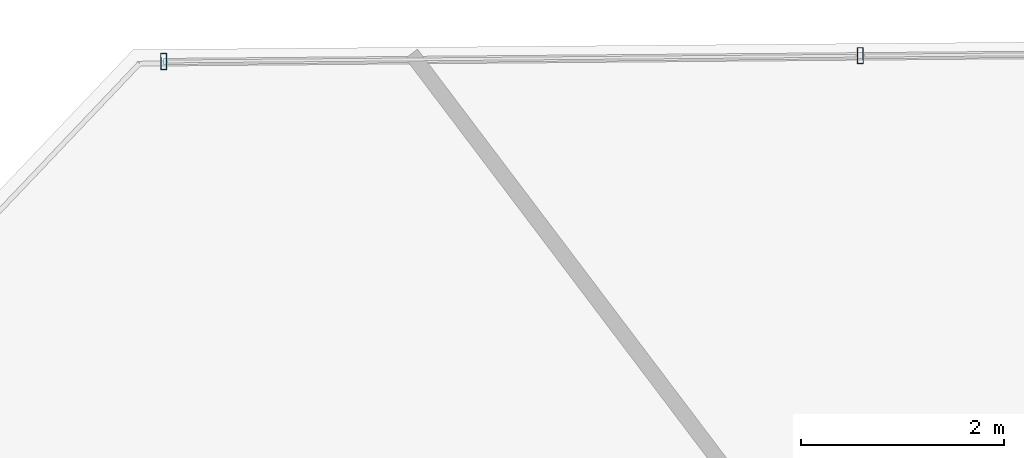
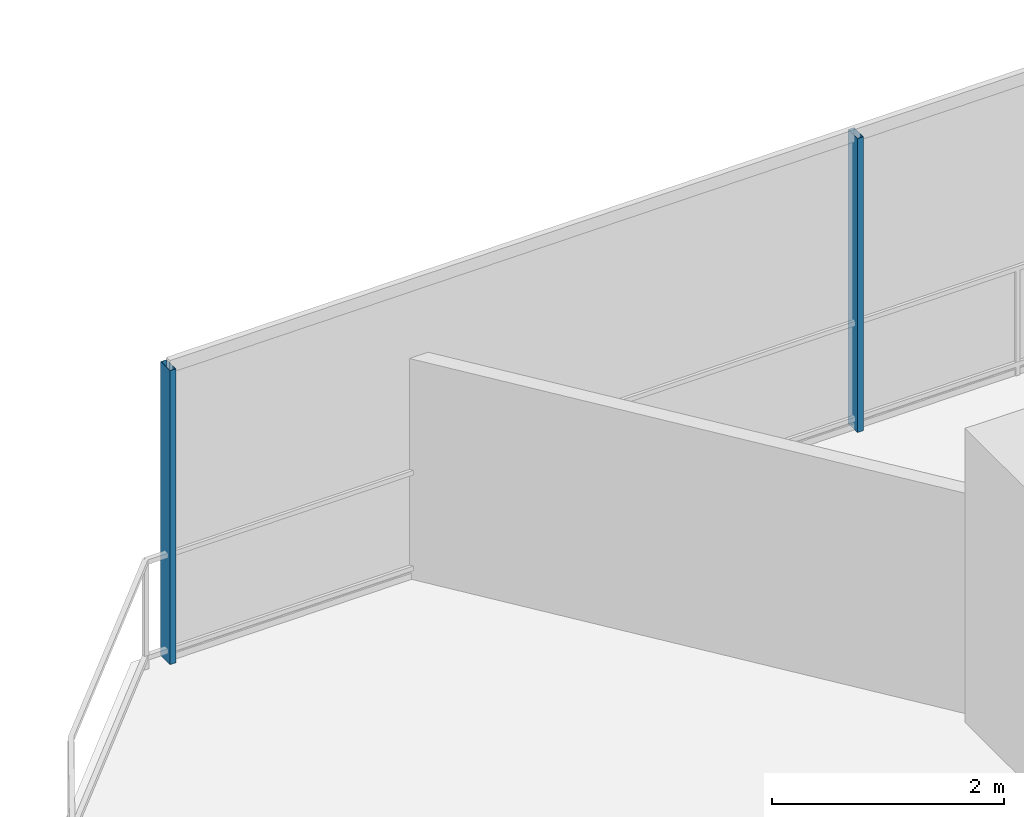
# One storey, part 17 of 31: 2 members, 1 element without a shape of its own.
"""IFC4 building model written with IfcOpenShell, lengths in metres."""

from ifc_helpers import new_model, si_unit, direction, frame, origin, origin_2d, place, context, subcontext, project, spatial, hollow_rectangle, extrude, material, layer, layer_set, material_profile, profile_set, type_object, element, aggregate, save


model = new_model("IFC4")

# Units and contexts
model_context = context("Model", 3, precision=1e-05, world=origin(), true_north=direction((0.0, 1.0)))
body_context = subcontext(model_context, "Body", "Model", "MODEL_VIEW")
ifc_project = project(units=[si_unit("LENGTHUNIT", "METRE"), si_unit("AREAUNIT", "SQUARE_METRE"), si_unit("VOLUMEUNIT", "CUBIC_METRE"), si_unit("PLANEANGLEUNIT", "RADIAN"), si_unit("MASSUNIT", "GRAM", prefix="KILO")], contexts=[model_context])

# Site, building, storey
site_placement = place(None, origin())
site = spatial("IfcSite", under=ifc_project, at=site_placement, CompositionType="ELEMENT")
building_placement = place(site_placement, origin())
building = spatial("IfcBuilding", under=site, at=building_placement, Name="Qarnah Convention Tower", CompositionType="ELEMENT")
storey_placement = place(building_placement, frame((0.0, 0.0, 68.39990234375)))
storey = spatial("IfcBuildingStorey", under=building, at=storey_placement, Name="L17", CompositionType="ELEMENT", Elevation=68.39990234375)

# Curtain wall, members
ifc_material_1 = material(Name="Tempered Low-E dark glass", Category="glass")
ifc_layer = layer(ifc_material_1, 0.16796875)
ifc_layer_set = layer_set([ifc_layer], Name="Tempered Low-E dark glass")
curtain_wall_type = type_object("IfcCurtainWallType", Name="CWS-01", PredefinedType="NOTDEFINED", material=ifc_layer_set)
curtain_wall_placement = place(storey_placement, origin())
curtain_wall = element("IfcCurtainWall", 1, at=curtain_wall_placement, inside=storey, type_object=curtain_wall_type, Name="L17 unitised curtain wall CW-L17-F2", PredefinedType="NOTDEFINED")
ifc_material_2 = material(Name="Black anodised aluminium", Category="aluminium")
ifc_material_profile = material_profile(ifc_material_2, hollow_rectangle(XDim=0.06005859375, YDim=0.159912109375, WallThickness=0.00390625, at=origin_2d()), Name="MUL-60X160")
ifc_profile_set = profile_set([ifc_material_profile], Name="Black anodised aluminium")
member_type = type_object("IfcMemberType", Name="MUL-T1", PredefinedType="MULLION", material=ifc_profile_set)
member_1_placement = place(storey_placement, frame((20.89501953125, 44.343017578125, 0.0), z_axis=(0.0, 0.0, 1.0), x_axis=(0.999965303838, 0.008330133284, 0.0)))
member_1 = element("IfcMember", 2, at=member_1_placement, type_object=member_type, Name="CW-L17-F2 mullion 1", PredefinedType="MULLION", context=body_context, shape_type="SweptSolid", body=[
    extrude(hollow_rectangle(XDim=0.06005859375, YDim=0.159912109375, WallThickness=0.00390625, at=origin_2d()), origin(), (0.0, 0.0, 1.0), 3.090087890625),
])
member_2_placement = place(storey_placement, frame((27.761474609375, 44.400146484375, 0.0), z_axis=(0.0, 0.0, 1.0), x_axis=(0.999965303838, 0.008330133284, 0.0)))
member_2 = element("IfcMember", 3, at=member_2_placement, type_object=member_type, Name="CW-L17-F2 mullion 2", PredefinedType="MULLION", context=body_context, shape_type="SweptSolid", body=[
    extrude(hollow_rectangle(XDim=0.06005859375, YDim=0.159912109375, WallThickness=0.00390625, at=origin_2d()), origin(), (0.0, 0.0, 1.0), 3.090087890625),
])
aggregate(curtain_wall, [member_1, member_2])

save(model, "model.ifc")
